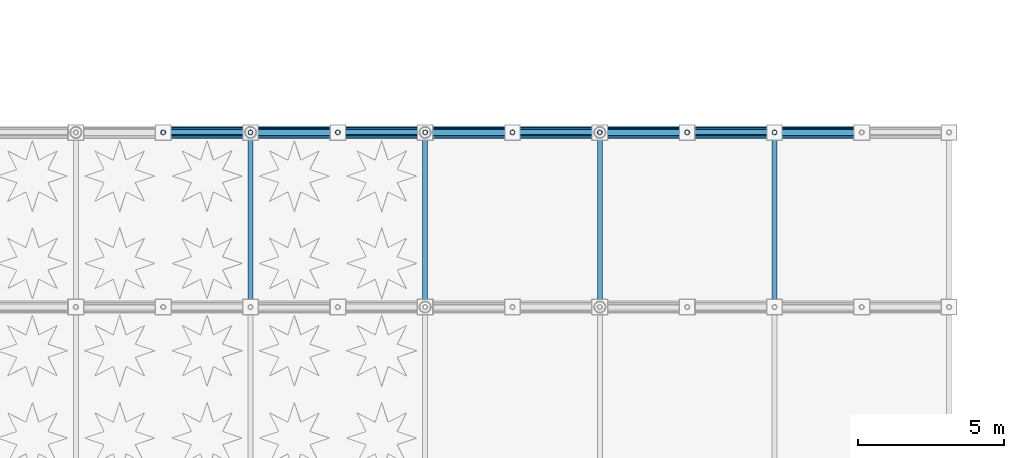
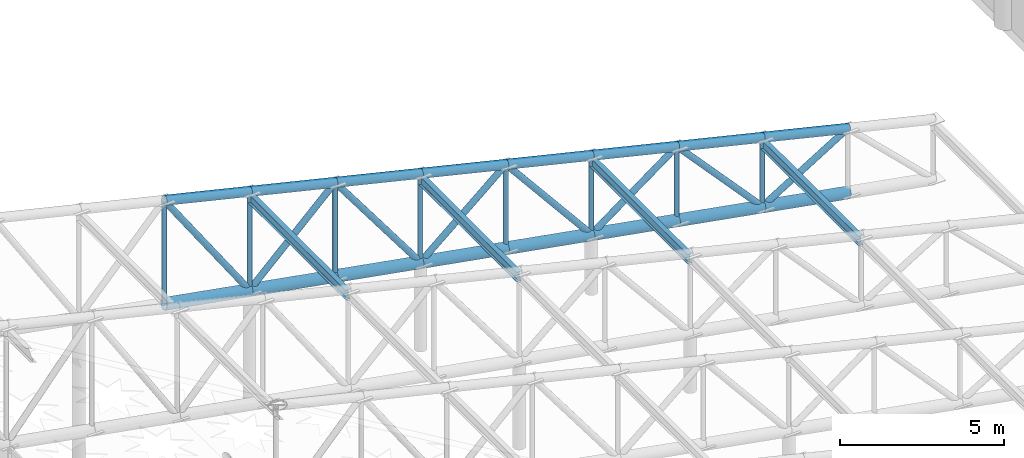
# One storey, part 66 of 112: 32 members, 4 beams.
"""IFC4 building model written with IfcOpenShell, lengths in metres."""

from ifc_helpers import new_model, si_unit, direction, frame, origin, origin_2d, place, context, subcontext, project, spatial, hollow_circle, i_section, extrude, material, material_profile, profile_set, type_object, element, save


model = new_model("IFC4")

# Units and contexts
model_context = context("Model", 3, precision=1e-05, world=origin(), true_north=direction((0.0, 1.0)))
body_context = subcontext(model_context, "Body", "Model", "MODEL_VIEW")
ifc_project = project(units=[si_unit("LENGTHUNIT", "METRE"), si_unit("AREAUNIT", "SQUARE_METRE"), si_unit("VOLUMEUNIT", "CUBIC_METRE"), si_unit("PLANEANGLEUNIT", "RADIAN"), si_unit("MASSUNIT", "GRAM", prefix="KILO"), si_unit("THERMODYNAMICTEMPERATUREUNIT", "KELVIN"), si_unit("POWERUNIT", "WATT")], contexts=[model_context])

# Site, building, storey
site_placement = place(None, origin())
site = spatial("IfcSite", under=ifc_project, at=site_placement, CompositionType="ELEMENT")
building_placement = place(site_placement, origin())
building = spatial("IfcBuilding", under=site, at=building_placement, Name="Phaisarnlok Congress Hotel", CompositionType="ELEMENT")
storey_placement = place(building_placement, frame((0.0, 0.0, 19.800048828125)))
storey = spatial("IfcBuildingStorey", under=building, at=storey_placement, Name="L04", CompositionType="ELEMENT", Elevation=19.800048828125)

# Beams
ifc_material = material(Name="Steel S355", Category="steel")
ifc_material_profile_1 = material_profile(ifc_material, i_section(OverallWidth=0.169921875, OverallDepth=0.360107421875, WebThickness=0.008056640625, FlangeThickness=0.0126953125, FilletRadius=0.01806640625, at=origin_2d()), Name="IPE 360")
ifc_profile_set_1 = profile_set([ifc_material_profile_1], Name="Steel S355")
beam_type = type_object("IfcBeamType", Name="JS-STL-IPE360", PredefinedType="JOIST", material=ifc_profile_set_1)
for number, where, z_axis, x_axis, name in (
    (1, (150.0, 78.0, 3.43994140625), (0.0, 1.0, 0.0), (-1.0, 0.0, 0.0), "Cloister wing roof purlin"),
    (2, (144.0, 78.0, 4.8720703125), (0.0, 1.0, 0.0), (-1.0, 0.0, 0.0), "Cloister wing roof purlin"),
    (3, (138.0, 78.0, 6.30419921875), (0.0, 1.0, 0.0), (-1.0, 0.0, 0.0), "Cloister wing roof purlin"),
    (4, (132.0, 78.0, 7.736328125), (0.0, 1.0, 0.0), (-1.0, 0.0, 0.0), "Cloister wing roof purlin"),
):
    element("IfcBeam", number, at=place(storey_placement, frame(where, z_axis=z_axis, x_axis=x_axis)), inside=storey, type_object=beam_type, Name=name, PredefinedType="JOIST", context=body_context, shape_type="SweptSolid", body=[
        extrude(i_section(OverallWidth=0.169921875, OverallDepth=0.360107421875, WebThickness=0.008056640625, FlangeThickness=0.0126953125, FilletRadius=0.01806640625, at=origin_2d()), origin(), (0.0, 0.0, 1.0), 6.0),
    ])

# Members
ifc_material_profile_2 = material_profile(ifc_material, hollow_circle(Radius=0.084228515625, WallThickness=0.010009765625, at=origin_2d()), Name="CHS 168.3x10")
ifc_profile_set_2 = profile_set([ifc_material_profile_2], Name="Steel S355")
member_type_1 = type_object("IfcMemberType", Name="MEM-BRC-CHS168", PredefinedType="BRACE", material=ifc_profile_set_2)
member_1_placement = place(storey_placement, frame((150.0, 84.0, 1.066650390625), z_axis=(0.0, 0.0, 1.0), x_axis=(1.0, 0.0, 0.0)))
element("IfcMember", 5, at=member_1_placement, inside=storey, type_object=member_type_1, Name="Cloister wing roof truss vertical web", PredefinedType="BRACE", context=body_context, shape_type="SweptSolid", body=[
    extrude(hollow_circle(Radius=0.084228515625, WallThickness=0.010009765625, at=origin_2d()), origin(), (0.0, 0.0, 1.0), 2.5654296875),
])
member_2_placement = place(storey_placement, frame((147.0, 84.0, 1.599853515625), z_axis=(0.0, 0.0, 1.0), x_axis=(1.0, 0.0, 0.0)))
element("IfcMember", 6, at=member_2_placement, inside=storey, type_object=member_type_1, Name="Cloister wing roof truss vertical web", PredefinedType="BRACE", context=body_context, shape_type="SweptSolid", body=[
    extrude(hollow_circle(Radius=0.084228515625, WallThickness=0.010009765625, at=origin_2d()), origin(), (0.0, 0.0, 1.0), 2.748291015625),
])
member_3_placement = place(storey_placement, frame((144.0, 84.0, 2.13330078125), z_axis=(0.0, 0.0, 1.0), x_axis=(1.0, 0.0, 0.0)))
element("IfcMember", 7, at=member_3_placement, inside=storey, type_object=member_type_1, Name="Cloister wing roof truss vertical web", PredefinedType="BRACE", context=body_context, shape_type="SweptSolid", body=[
    extrude(hollow_circle(Radius=0.084228515625, WallThickness=0.010009765625, at=origin_2d()), origin(), (0.0, 0.0, 1.0), 2.930908203125),
])
member_4_placement = place(storey_placement, frame((141.0, 84.0, 2.66650390625), z_axis=(0.0, 0.0, 1.0), x_axis=(1.0, 0.0, 0.0)))
element("IfcMember", 8, at=member_4_placement, inside=storey, type_object=member_type_1, Name="Cloister wing roof truss vertical web", PredefinedType="BRACE", context=body_context, shape_type="SweptSolid", body=[
    extrude(hollow_circle(Radius=0.084228515625, WallThickness=0.010009765625, at=origin_2d()), origin(), (0.0, 0.0, 1.0), 3.11376953125),
])
member_5_placement = place(storey_placement, frame((138.0, 84.0, 3.199951171875), z_axis=(0.0, 0.0, 1.0), x_axis=(1.0, 0.0, 0.0)))
element("IfcMember", 9, at=member_5_placement, inside=storey, type_object=member_type_1, Name="Cloister wing roof truss vertical web", PredefinedType="BRACE", context=body_context, shape_type="SweptSolid", body=[
    extrude(hollow_circle(Radius=0.084228515625, WallThickness=0.010009765625, at=origin_2d()), origin(), (0.0, 0.0, 1.0), 3.29638671875),
])
member_6_placement = place(storey_placement, frame((135.0, 84.0, 3.7333984375), z_axis=(0.0, 0.0, 1.0), x_axis=(1.0, 0.0, 0.0)))
element("IfcMember", 10, at=member_6_placement, inside=storey, type_object=member_type_1, Name="Cloister wing roof truss vertical web", PredefinedType="BRACE", context=body_context, shape_type="SweptSolid", body=[
    extrude(hollow_circle(Radius=0.084228515625, WallThickness=0.010009765625, at=origin_2d()), origin(), (0.0, 0.0, 1.0), 3.47900390625),
])
member_7_placement = place(storey_placement, frame((132.0, 84.0, 4.2666015625), z_axis=(0.0, 0.0, 1.0), x_axis=(1.0, 0.0, 0.0)))
element("IfcMember", 11, at=member_7_placement, inside=storey, type_object=member_type_1, Name="Cloister wing roof truss vertical web", PredefinedType="BRACE", context=body_context, shape_type="SweptSolid", body=[
    extrude(hollow_circle(Radius=0.084228515625, WallThickness=0.010009765625, at=origin_2d()), origin(), (0.0, 0.0, 1.0), 3.661865234375),
])
member_8_placement = place(storey_placement, frame((129.0, 84.0, 4.800048828125), z_axis=(0.0, 0.0, 1.0), x_axis=(1.0, 0.0, 0.0)))
element("IfcMember", 12, at=member_8_placement, inside=storey, type_object=member_type_1, Name="Cloister wing roof truss vertical web", PredefinedType="BRACE", context=body_context, shape_type="SweptSolid", body=[
    extrude(hollow_circle(Radius=0.084228515625, WallThickness=0.010009765625, at=origin_2d()), origin(), (0.0, 0.0, 1.0), 3.84423828125),
])
ifc_material_profile_3 = material_profile(ifc_material, hollow_circle(Radius=0.109619140625, WallThickness=0.012451171875, at=origin_2d()), Name="CHS 219.1x12.5")
ifc_profile_set_3 = profile_set([ifc_material_profile_3], Name="Steel S355")
member_type_2 = type_object("IfcMemberType", Name="MEM-BRC-CHS219", PredefinedType="BRACE", material=ifc_profile_set_3)
member_9_placement = place(storey_placement, frame((150.0, 84.0, 1.066650390625), z_axis=(0.851251329707, 0.0, 0.524758204959), x_axis=(0.0, 1.0, 0.0)))
element("IfcMember", 13, at=member_9_placement, inside=storey, type_object=member_type_2, Name="Cloister wing roof truss diagonal brace", PredefinedType="BRACE", context=body_context, shape_type="SweptSolid", body=[
    extrude(hollow_circle(Radius=0.109619140625, WallThickness=0.012451171875, at=origin_2d()), origin(), (0.0, 0.0, 1.0), 3.524169921875),
])
member_10_placement = place(storey_placement, frame((150.0, 84.0, 1.066650390625), z_axis=(-0.674741853636, 0.0, 0.738053813046), x_axis=(0.0, -1.0, 0.0)))
element("IfcMember", 14, at=member_10_placement, inside=storey, type_object=member_type_2, Name="Cloister wing roof truss diagonal brace", PredefinedType="BRACE", context=body_context, shape_type="SweptSolid", body=[
    extrude(hollow_circle(Radius=0.109619140625, WallThickness=0.012451171875, at=origin_2d()), origin(), (0.0, 0.0, 1.0), 4.446044921875),
])
member_11_placement = place(storey_placement, frame((144.0, 84.0, 2.13330078125), z_axis=(0.804502572665, 0.0, 0.593949164975), x_axis=(0.0, 1.0, 0.0)))
element("IfcMember", 15, at=member_11_placement, inside=storey, type_object=member_type_2, Name="Cloister wing roof truss diagonal brace", PredefinedType="BRACE", context=body_context, shape_type="SweptSolid", body=[
    extrude(hollow_circle(Radius=0.109619140625, WallThickness=0.012451171875, at=origin_2d()), origin(), (0.0, 0.0, 1.0), 3.72900390625),
])
member_12_placement = place(storey_placement, frame((144.0, 84.0, 2.13330078125), z_axis=(-0.635279491177, 0.0, 0.772282311133), x_axis=(0.0, -1.0, 0.0)))
element("IfcMember", 16, at=member_12_placement, inside=storey, type_object=member_type_2, Name="Cloister wing roof truss diagonal brace", PredefinedType="BRACE", context=body_context, shape_type="SweptSolid", body=[
    extrude(hollow_circle(Radius=0.109619140625, WallThickness=0.012451171875, at=origin_2d()), origin(), (0.0, 0.0, 1.0), 4.722412109375),
])
member_13_placement = place(storey_placement, frame((138.0, 84.0, 3.199951171875), z_axis=(0.758144932989, 0.0, 0.652086083721), x_axis=(0.0, 1.0, 0.0)))
element("IfcMember", 17, at=member_13_placement, inside=storey, type_object=member_type_2, Name="Cloister wing roof truss diagonal brace", PredefinedType="BRACE", context=body_context, shape_type="SweptSolid", body=[
    extrude(hollow_circle(Radius=0.109619140625, WallThickness=0.012451171875, at=origin_2d()), origin(), (0.0, 0.0, 1.0), 3.95703125),
])
member_14_placement = place(storey_placement, frame((138.0, 84.0, 3.199951171875), z_axis=(-0.598806398303, 0.0, 0.800893811533), x_axis=(0.0, -1.0, 0.0)))
element("IfcMember", 18, at=member_14_placement, inside=storey, type_object=member_type_2, Name="Cloister wing roof truss diagonal brace", PredefinedType="BRACE", context=body_context, shape_type="SweptSolid", body=[
    extrude(hollow_circle(Radius=0.109619140625, WallThickness=0.012451171875, at=origin_2d()), origin(), (0.0, 0.0, 1.0), 5.010009765625),
])
member_15_placement = place(storey_placement, frame((132.0, 84.0, 4.2666015625), z_axis=(0.713522801545, 0.0, 0.700632008743), x_axis=(0.0, 1.0, 0.0)))
element("IfcMember", 19, at=member_15_placement, inside=storey, type_object=member_type_2, Name="Cloister wing roof truss diagonal brace", PredefinedType="BRACE", context=body_context, shape_type="SweptSolid", body=[
    extrude(hollow_circle(Radius=0.109619140625, WallThickness=0.012451171875, at=origin_2d()), origin(), (0.0, 0.0, 1.0), 4.20458984375),
])
member_16_placement = place(storey_placement, frame((132.0, 84.0, 4.2666015625), z_axis=(-0.565292311671, 0.0, 0.824890660855), x_axis=(0.0, -1.0, 0.0)))
element("IfcMember", 20, at=member_16_placement, inside=storey, type_object=member_type_2, Name="Cloister wing roof truss diagonal brace", PredefinedType="BRACE", context=body_context, shape_type="SweptSolid", body=[
    extrude(hollow_circle(Radius=0.109619140625, WallThickness=0.012451171875, at=origin_2d()), origin(), (0.0, 0.0, 1.0), 5.306884765625),
])
ifc_material_profile_4 = material_profile(ifc_material, hollow_circle(Radius=0.161865234375, WallThickness=0.01611328125, at=origin_2d()), Name="CHS 323.9x16")
ifc_profile_set_4 = profile_set([ifc_material_profile_4], Name="Steel S355")
member_type_3 = type_object("IfcMemberType", Name="MEM-CHD-CHS324", PredefinedType="CHORD", material=ifc_profile_set_4)
for number, where, z_axis, x_axis, name in (
    (21, (153.0, 84.0, 2.916015625), (-0.972676115692, 0.0, 0.232166263617), (0.0, -1.0, 0.0), "Cloister wing roof truss top chord"),
    (22, (150.0, 84.0, 3.632080078125), (-0.972676115692, 0.0, 0.232166263617), (0.0, -1.0, 0.0), "Cloister wing roof truss top chord"),
    (23, (147.0, 84.0, 4.34814453125), (-0.972676115692, 0.0, 0.232166263617), (0.0, -1.0, 0.0), "Cloister wing roof truss top chord"),
    (24, (144.0, 84.0, 5.064208984375), (-0.972676115692, 0.0, 0.232166263617), (0.0, -1.0, 0.0), "Cloister wing roof truss top chord"),
    (25, (141.0, 84.0, 5.7802734375), (-0.972676115692, 0.0, 0.232166263617), (0.0, -1.0, 0.0), "Cloister wing roof truss top chord"),
    (26, (138.0, 84.0, 6.496337890625), (-0.972676115692, 0.0, 0.232166263617), (0.0, -1.0, 0.0), "Cloister wing roof truss top chord"),
    (27, (135.0, 84.0, 7.21240234375), (-0.972676115692, 0.0, 0.232166263617), (0.0, -1.0, 0.0), "Cloister wing roof truss top chord"),
    (28, (132.0, 84.0, 7.928466796875), (-0.972693988482, 0.0, 0.232091371601), (0.0, -1.0, 0.0), "Cloister wing roof truss top chord"),
):
    element("IfcMember", number, at=place(storey_placement, frame(where, z_axis=z_axis, x_axis=x_axis)), inside=storey, type_object=member_type_3, Name=name, PredefinedType="CHORD", context=body_context, shape_type="SweptSolid", body=[
        extrude(hollow_circle(Radius=0.161865234375, WallThickness=0.01611328125, at=origin_2d()), origin(), (0.0, 0.0, 1.0), 3.084228515625),
    ])
ifc_material_profile_5 = material_profile(ifc_material, hollow_circle(Radius=0.203125, WallThickness=0.02001953125, at=origin_2d()), Name="CHS 406.4x20")
ifc_profile_set_5 = profile_set([ifc_material_profile_5], Name="Steel S355")
member_type_4 = type_object("IfcMemberType", Name="MEM-CHD-CHS406", PredefinedType="CHORD", material=ifc_profile_set_5)
for number, where, z_axis, x_axis, name in (
    (29, (153.0, 84.0, 0.533203125), (-0.984556063496, 0.0, 0.175069579976), (0.0, -1.0, 0.0), "Cloister wing roof truss bottom chord"),
    (30, (150.0, 84.0, 1.066650390625), (-0.984569871158, 0.0, 0.174991910694), (0.0, -1.0, 0.0), "Cloister wing roof truss bottom chord"),
    (31, (147.0, 84.0, 1.599853515625), (-0.984556063496, 0.0, 0.175069579976), (0.0, -1.0, 0.0), "Cloister wing roof truss bottom chord"),
    (32, (144.0, 84.0, 2.13330078125), (-0.984569871158, 0.0, 0.174991910694), (0.0, -1.0, 0.0), "Cloister wing roof truss bottom chord"),
    (33, (141.0, 84.0, 2.66650390625), (-0.984556063496, 0.0, 0.175069579976), (0.0, -1.0, 0.0), "Cloister wing roof truss bottom chord"),
    (34, (138.0, 84.0, 3.199951171875), (-0.984556063496, 0.0, 0.175069579976), (0.0, -1.0, 0.0), "Cloister wing roof truss bottom chord"),
    (35, (135.0, 84.0, 3.7333984375), (-0.984569871158, 0.0, 0.174991910694), (0.0, -1.0, 0.0), "Cloister wing roof truss bottom chord"),
    (36, (132.0, 84.0, 4.2666015625), (-0.984556063496, 0.0, 0.175069579976), (0.0, -1.0, 0.0), "Cloister wing roof truss bottom chord"),
):
    element("IfcMember", number, at=place(storey_placement, frame(where, z_axis=z_axis, x_axis=x_axis)), inside=storey, type_object=member_type_4, Name=name, PredefinedType="CHORD", context=body_context, shape_type="SweptSolid", body=[
        extrude(hollow_circle(Radius=0.203125, WallThickness=0.02001953125, at=origin_2d()), origin(), (0.0, 0.0, 1.0), 3.047119140625),
    ])

save(model, "model.ifc")
